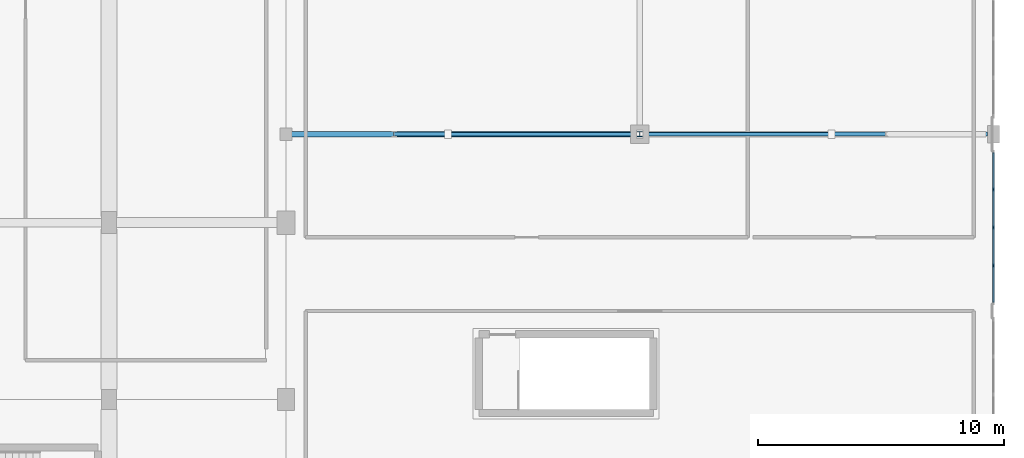
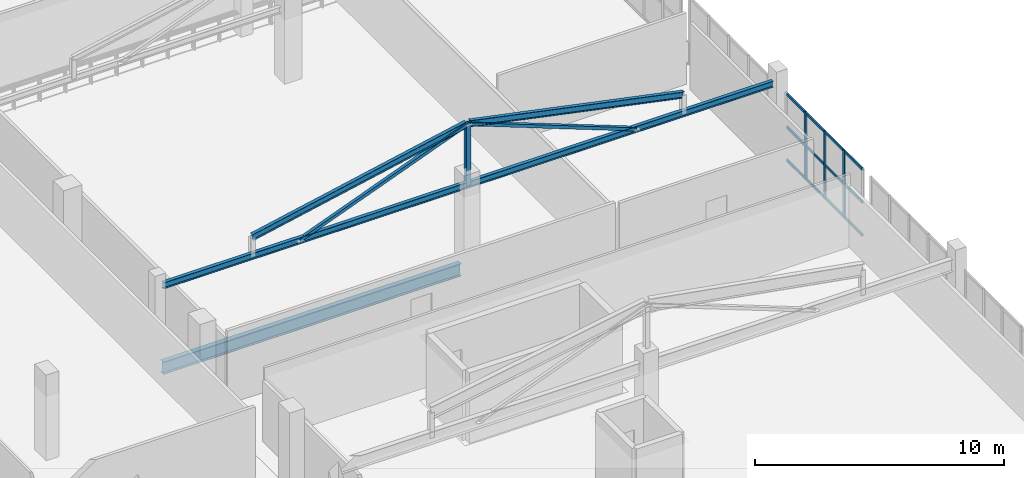
# One storey, part 35 of 92: 18 members, 4 beams, 1 element without a shape of its own.
"""IFC4 building model written with IfcOpenShell, lengths in metres."""

from ifc_helpers import new_model, si_unit, direction, frame, origin, origin_2d, place, context, subcontext, project, spatial, rectangle, hollow_rectangle, i_section, extrude, material, material_profile, profile_set, type_object, element, aggregate, save


model = new_model("IFC4")

# Units and contexts
model_context = context("Model", 3, precision=1e-05, world=origin(), true_north=direction((0.0, 1.0)))
body_context = subcontext(model_context, "Body", "Model", "MODEL_VIEW")
ifc_project = project(units=[si_unit("LENGTHUNIT", "METRE"), si_unit("AREAUNIT", "SQUARE_METRE"), si_unit("VOLUMEUNIT", "CUBIC_METRE"), si_unit("PLANEANGLEUNIT", "RADIAN"), si_unit("MASSUNIT", "GRAM", prefix="KILO")], contexts=[model_context])

# Site, building, storey
site_placement = place(None, origin())
site = spatial("IfcSite", under=ifc_project, at=site_placement, CompositionType="ELEMENT")
building_placement = place(site_placement, origin())
building = spatial("IfcBuilding", under=site, at=building_placement, Name="Solanera Park Tramway Depot", CompositionType="ELEMENT")
storey_placement = place(building_placement, frame((0.0, 0.0, 4.800048828125)))
storey = spatial("IfcBuildingStorey", under=building, at=storey_placement, Name="L01", CompositionType="ELEMENT", Elevation=4.800048828125)

# Curtain wall, members
ifc_material_1 = material(Name="Bronze-anodised thermally broken aluminium curtain wall", Category="aluminium")
curtain_wall_type = type_object("IfcCurtainWallType", Name="Parkfront Loggia Curtain Wall", PredefinedType="NOTDEFINED", material=ifc_material_1)
curtain_wall_placement = place(storey_placement, origin())
curtain_wall = element("IfcCurtainWall", 1, at=curtain_wall_placement, inside=storey, type_object=curtain_wall_type, Name="L01 Parkfront Loggia Curtain Wall #136", PredefinedType="NOTDEFINED")
ifc_material_2 = material(Name="Bronze-anodised structural aluminium 6063-T6", Category="aluminium")
ifc_material_profile_1 = material_profile(ifc_material_2, rectangle(XDim=0.06494140625, YDim=0.14990234375, at=origin_2d()), Name="Curtain Wall Mullion 65x150")
ifc_profile_set_1 = profile_set([ifc_material_profile_1], Name="Bronze-anodised structural aluminium 6063-T6")
member_type_1 = type_object("IfcMemberType", Name="Curtain Wall Mullion 65x150", PredefinedType="MULLION", material=ifc_profile_set_1)
member_1_placement = place(storey_placement, frame((216.0, 30.64990234375, 0.0), z_axis=(0.0, 0.0, 1.0), x_axis=(1.0, 0.0, 0.0)))
member_1 = element("IfcMember", 2, at=member_1_placement, type_object=member_type_1, Name="CW-L01-136 Mullion 2", PredefinedType="MULLION", context=body_context, shape_type="SweptSolid", body=[
    extrude(rectangle(XDim=0.06494140625, YDim=0.14990234375, at=origin_2d()), origin(), (0.0, 0.0, 1.0), 3.349853515625),
])
member_2_placement = place(storey_placement, frame((216.0, 32.199951171875, 0.0), z_axis=(0.0, 0.0, 1.0), x_axis=(1.0, 0.0, 0.0)))
member_2 = element("IfcMember", 3, at=member_2_placement, type_object=member_type_1, Name="CW-L01-136 Mullion 3", PredefinedType="MULLION", context=body_context, shape_type="SweptSolid", body=[
    extrude(rectangle(XDim=0.06494140625, YDim=0.14990234375, at=origin_2d()), origin(), (0.0, 0.0, 1.0), 3.349853515625),
])
member_3_placement = place(storey_placement, frame((216.0, 33.75, 0.0), z_axis=(0.0, 0.0, 1.0), x_axis=(1.0, 0.0, 0.0)))
member_3 = element("IfcMember", 4, at=member_3_placement, type_object=member_type_1, Name="CW-L01-136 Mullion 4", PredefinedType="MULLION", context=body_context, shape_type="SweptSolid", body=[
    extrude(rectangle(XDim=0.06494140625, YDim=0.14990234375, at=origin_2d()), origin(), (0.0, 0.0, 1.0), 3.349853515625),
])
ifc_material_3 = material(Name="Bronze-anodised structural aluminium 6063-T6", Category="aluminium")
ifc_material_profile_2 = material_profile(ifc_material_3, rectangle(XDim=0.06494140625, YDim=0.1201171875, at=origin_2d()), Name="Curtain Wall Transom 65x120")
ifc_profile_set_2 = profile_set([ifc_material_profile_2], Name="Bronze-anodised structural aluminium 6063-T6")
member_type_2 = type_object("IfcMemberType", Name="Curtain Wall Transom 65x120", PredefinedType="USERDEFINED", material=ifc_profile_set_2)
member_4_placement = place(storey_placement, frame((216.0, 29.160400390625, 0.06005859375), z_axis=(0.0, 1.0, 0.0), x_axis=(-1.0, 0.0, 0.0)))
member_4 = element("IfcMember", 5, at=member_4_placement, type_object=member_type_2, Name="CW-L01-136 Transom R1.C1", ObjectType="TRANSOM", PredefinedType="USERDEFINED", context=body_context, shape_type="SweptSolid", body=[
    extrude(rectangle(XDim=0.06494140625, YDim=0.1201171875, at=origin_2d()), origin(), (0.0, 0.0, 1.0), 1.461669921875),
])
member_5_placement = place(storey_placement, frame((216.0, 30.677978515625, 0.06005859375), z_axis=(0.0, 1.0, 0.0), x_axis=(-1.0, 0.0, 0.0)))
member_5 = element("IfcMember", 6, at=member_5_placement, type_object=member_type_2, Name="CW-L01-136 Transom R1.C2", ObjectType="TRANSOM", PredefinedType="USERDEFINED", context=body_context, shape_type="SweptSolid", body=[
    extrude(rectangle(XDim=0.06494140625, YDim=0.1201171875, at=origin_2d()), origin(), (0.0, 0.0, 1.0), 1.494140625),
])
member_6_placement = place(storey_placement, frame((216.0, 32.22802734375, 0.06005859375), z_axis=(0.0, 1.0, 0.0), x_axis=(-1.0, 0.0, 0.0)))
member_6 = element("IfcMember", 7, at=member_6_placement, type_object=member_type_2, Name="CW-L01-136 Transom R1.C3", ObjectType="TRANSOM", PredefinedType="USERDEFINED", context=body_context, shape_type="SweptSolid", body=[
    extrude(rectangle(XDim=0.06494140625, YDim=0.1201171875, at=origin_2d()), origin(), (0.0, 0.0, 1.0), 1.493896484375),
])
member_7_placement = place(storey_placement, frame((216.0, 33.778076171875, 0.06005859375), z_axis=(0.0, 1.0, 0.0), x_axis=(-1.0, 0.0, 0.0)))
member_7 = element("IfcMember", 8, at=member_7_placement, type_object=member_type_2, Name="CW-L01-136 Transom R1.C4", ObjectType="TRANSOM", PredefinedType="USERDEFINED", context=body_context, shape_type="SweptSolid", body=[
    extrude(rectangle(XDim=0.06494140625, YDim=0.1201171875, at=origin_2d()), origin(), (0.0, 0.0, 1.0), 1.46142578125),
])
member_8_placement = place(storey_placement, frame((216.0, 29.160400390625, 1.675048828125), z_axis=(0.0, 1.0, 0.0), x_axis=(-1.0, 0.0, 0.0)))
member_8 = element("IfcMember", 9, at=member_8_placement, type_object=member_type_2, Name="CW-L01-136 Transom R2.C1", ObjectType="TRANSOM", PredefinedType="USERDEFINED", context=body_context, shape_type="SweptSolid", body=[
    extrude(rectangle(XDim=0.06494140625, YDim=0.1201171875, at=origin_2d()), origin(), (0.0, 0.0, 1.0), 1.461669921875),
])
member_9_placement = place(storey_placement, frame((216.0, 30.677978515625, 1.675048828125), z_axis=(0.0, 1.0, 0.0), x_axis=(-1.0, 0.0, 0.0)))
member_9 = element("IfcMember", 10, at=member_9_placement, type_object=member_type_2, Name="CW-L01-136 Transom R2.C2", ObjectType="TRANSOM", PredefinedType="USERDEFINED", context=body_context, shape_type="SweptSolid", body=[
    extrude(rectangle(XDim=0.06494140625, YDim=0.1201171875, at=origin_2d()), origin(), (0.0, 0.0, 1.0), 1.494140625),
])
member_10_placement = place(storey_placement, frame((216.0, 32.22802734375, 1.675048828125), z_axis=(0.0, 1.0, 0.0), x_axis=(-1.0, 0.0, 0.0)))
member_10 = element("IfcMember", 11, at=member_10_placement, type_object=member_type_2, Name="CW-L01-136 Transom R2.C3", ObjectType="TRANSOM", PredefinedType="USERDEFINED", context=body_context, shape_type="SweptSolid", body=[
    extrude(rectangle(XDim=0.06494140625, YDim=0.1201171875, at=origin_2d()), origin(), (0.0, 0.0, 1.0), 1.493896484375),
])
member_11_placement = place(storey_placement, frame((216.0, 33.778076171875, 1.675048828125), z_axis=(0.0, 1.0, 0.0), x_axis=(-1.0, 0.0, 0.0)))
member_11 = element("IfcMember", 12, at=member_11_placement, type_object=member_type_2, Name="CW-L01-136 Transom R2.C4", ObjectType="TRANSOM", PredefinedType="USERDEFINED", context=body_context, shape_type="SweptSolid", body=[
    extrude(rectangle(XDim=0.06494140625, YDim=0.1201171875, at=origin_2d()), origin(), (0.0, 0.0, 1.0), 1.46142578125),
])
member_12_placement = place(storey_placement, frame((216.0, 29.160400390625, 3.2900390625), z_axis=(0.0, 1.0, 0.0), x_axis=(-1.0, 0.0, 0.0)))
member_12 = element("IfcMember", 13, at=member_12_placement, type_object=member_type_2, Name="CW-L01-136 Transom R3.C1", ObjectType="TRANSOM", PredefinedType="USERDEFINED", context=body_context, shape_type="SweptSolid", body=[
    extrude(rectangle(XDim=0.06494140625, YDim=0.1201171875, at=origin_2d()), origin(), (0.0, 0.0, 1.0), 1.461669921875),
])
member_13_placement = place(storey_placement, frame((216.0, 30.677978515625, 3.2900390625), z_axis=(0.0, 1.0, 0.0), x_axis=(-1.0, 0.0, 0.0)))
member_13 = element("IfcMember", 14, at=member_13_placement, type_object=member_type_2, Name="CW-L01-136 Transom R3.C2", ObjectType="TRANSOM", PredefinedType="USERDEFINED", context=body_context, shape_type="SweptSolid", body=[
    extrude(rectangle(XDim=0.06494140625, YDim=0.1201171875, at=origin_2d()), origin(), (0.0, 0.0, 1.0), 1.494140625),
])
member_14_placement = place(storey_placement, frame((216.0, 32.22802734375, 3.2900390625), z_axis=(0.0, 1.0, 0.0), x_axis=(-1.0, 0.0, 0.0)))
member_14 = element("IfcMember", 15, at=member_14_placement, type_object=member_type_2, Name="CW-L01-136 Transom R3.C3", ObjectType="TRANSOM", PredefinedType="USERDEFINED", context=body_context, shape_type="SweptSolid", body=[
    extrude(rectangle(XDim=0.06494140625, YDim=0.1201171875, at=origin_2d()), origin(), (0.0, 0.0, 1.0), 1.493896484375),
])
member_15_placement = place(storey_placement, frame((216.0, 33.778076171875, 3.2900390625), z_axis=(0.0, 1.0, 0.0), x_axis=(-1.0, 0.0, 0.0)))
member_15 = element("IfcMember", 16, at=member_15_placement, type_object=member_type_2, Name="CW-L01-136 Transom R3.C4", ObjectType="TRANSOM", PredefinedType="USERDEFINED", context=body_context, shape_type="SweptSolid", body=[
    extrude(rectangle(XDim=0.06494140625, YDim=0.1201171875, at=origin_2d()), origin(), (0.0, 0.0, 1.0), 1.46142578125),
])
aggregate(curtain_wall, [member_1, member_2, member_3, member_4, member_5, member_6, member_7, member_8, member_9, member_10, member_11, member_12, member_13, member_14, member_15])

# Member
ifc_material_4 = material(Name="Steel AS/NZS 3679.1 Grade 350", Category="steel")
ifc_material_profile_3 = material_profile(ifc_material_4, i_section(OverallWidth=0.205078125, OverallDepth=0.209716796875, WebThickness=0.00927734375, FlangeThickness=0.01416015625, at=origin_2d()), Name="200UC59.5")
ifc_profile_set_3 = profile_set([ifc_material_profile_3], Name="Steel AS/NZS 3679.1 Grade 350")
member_type_3 = type_object("IfcMemberType", Name="Roof Gantry Compression Strut 200UC59.5", PredefinedType="STRUT", material=ifc_profile_set_3)
member_16_placement = place(storey_placement, frame((201.60009765625, 36.0, 3.453125), z_axis=(0.0, 0.0, 1.0), x_axis=(1.0, 0.0, 0.0)))
element("IfcMember", 17, at=member_16_placement, inside=storey, type_object=member_type_3, Name="Hip ROOF TRUSS King Post #0181", PredefinedType="STRUT", context=body_context, shape_type="SweptSolid", body=[
    extrude(i_section(OverallWidth=0.205078125, OverallDepth=0.209716796875, WebThickness=0.00927734375, FlangeThickness=0.01416015625, at=origin_2d()), origin(), (0.0, 0.0, 1.0), 2.982421875),
])

# Beams
ifc_material_5 = material(Name="Steel AS/NZS 3679.1 Grade 350", Category="steel")
ifc_material_profile_4 = material_profile(ifc_material_5, i_section(OverallWidth=0.1650390625, OverallDepth=0.3037109375, WebThickness=0.006103515625, FlangeThickness=0.01025390625, at=origin_2d()), Name="310UB40.4")
ifc_profile_set_4 = profile_set([ifc_material_profile_4], Name="Steel AS/NZS 3679.1 Grade 350")
beam_type_1 = type_object("IfcBeamType", Name="Steel Beam 310UB40.4", PredefinedType="BEAM", material=ifc_profile_set_4)
beam_1_placement = place(storey_placement, frame((187.449951171875, 36.0, 3.453125), z_axis=(1.0, 0.0, 0.0), x_axis=(0.0, 1.0, 0.0)))
element("IfcBeam", 18, at=beam_1_placement, inside=storey, type_object=beam_type_1, Name="L01 Hip ROOF TRUSS Tie 310UB40.4 #1128", PredefinedType="BEAM", context=body_context, shape_type="SweptSolid", body=[
    extrude(i_section(OverallWidth=0.1650390625, OverallDepth=0.3037109375, WebThickness=0.006103515625, FlangeThickness=0.01025390625, at=origin_2d()), origin(), (0.0, 0.0, 1.0), 28.300048828125),
])
beam_2_placement = place(storey_placement, frame((191.60009765625, 36.0, 4.371826171875), z_axis=(0.97911984092, 0.0, 0.20328388307), x_axis=(0.0, 1.0, 0.0)))
element("IfcBeam", 19, at=beam_2_placement, inside=storey, type_object=beam_type_1, Name="L01 Hip ROOF TRUSS Rafter 310UB40.4 #1129", PredefinedType="BEAM", context=body_context, shape_type="SweptSolid", body=[
    extrude(i_section(OverallWidth=0.1650390625, OverallDepth=0.3037109375, WebThickness=0.006103515625, FlangeThickness=0.01025390625, at=origin_2d()), origin(), (0.0, 0.0, 1.0), 10.15185546875),
])
beam_3_placement = place(storey_placement, frame((201.659912109375, 36.0, 6.435546875), z_axis=(0.979120834683, 0.0, -0.203279096539), x_axis=(0.0, 1.0, 0.0)))
element("IfcBeam", 20, at=beam_3_placement, inside=storey, type_object=beam_type_1, Name="L01 Hip ROOF TRUSS Rafter 310UB40.4 #1130", PredefinedType="BEAM", context=body_context, shape_type="SweptSolid", body=[
    extrude(i_section(OverallWidth=0.1650390625, OverallDepth=0.3037109375, WebThickness=0.006103515625, FlangeThickness=0.01025390625, at=origin_2d()), origin(), (0.0, 0.0, 1.0), 10.152099609375),
])
ifc_material_6 = material(Name="Steel AS/NZS 3679.1 Grade 350", Category="steel")
ifc_material_profile_5 = material_profile(ifc_material_6, i_section(OverallWidth=0.22900390625, OverallDepth=0.611572265625, WebThickness=0.011962890625, FlangeThickness=0.01953125, at=origin_2d()), Name="610UB125")
ifc_profile_set_5 = profile_set([ifc_material_profile_5], Name="Steel AS/NZS 3679.1 Grade 350")
beam_type_2 = type_object("IfcBeamType", Name="Steel Beam 610UB125", PredefinedType="BEAM", material=ifc_profile_set_5)
beam_4_placement = place(storey_placement, frame((187.425048828125, 36.0, -0.559814453125), z_axis=(1.0, 0.0, 0.0), x_axis=(0.0, 1.0, 0.0)))
element("IfcBeam", 21, at=beam_4_placement, inside=storey, type_object=beam_type_2, Name="L01 Primary X-Girder 610UB125 #0025", PredefinedType="BEAM", context=body_context, shape_type="SweptSolid", body=[
    extrude(i_section(OverallWidth=0.22900390625, OverallDepth=0.611572265625, WebThickness=0.011962890625, FlangeThickness=0.01953125, at=origin_2d()), origin(), (0.0, 0.0, 1.0), 13.824951171875),
])

# Members
ifc_material_7 = material(Name="Steel AS/NZS 1163 Grade C350L0", Category="steel")
ifc_material_profile_6 = material_profile(ifc_material_7, hollow_rectangle(XDim=0.14990234375, YDim=0.14990234375, WallThickness=0.006103515625, at=origin_2d()), Name="150x150x6.0 SHS")
ifc_profile_set_6 = profile_set([ifc_material_profile_6], Name="Steel AS/NZS 1163 Grade C350L0")
member_type_4 = type_object("IfcMemberType", Name="Truss and Frame Brace 150x150x6.0 SHS", PredefinedType="BRACE", material=ifc_profile_set_6)
member_17_placement = place(storey_placement, frame((193.800048828125, 36.0, 3.453125), z_axis=(0.934049826954, 0.0, 0.357142717646), x_axis=(0.0, 1.0, 0.0)))
element("IfcMember", 22, at=member_17_placement, inside=storey, type_object=member_type_4, Name="Hip ROOF TRUSS Web #0493", PredefinedType="BRACE", context=body_context, shape_type="SweptSolid", body=[
    extrude(hollow_rectangle(XDim=0.14990234375, YDim=0.14990234375, WallThickness=0.006103515625, at=origin_2d()), origin(), (0.0, 0.0, 1.0), 8.350830078125),
])
member_18_placement = place(storey_placement, frame((209.39990234375, 36.0, 3.453125), z_axis=(-0.934046097767, 0.0, 0.357152470587), x_axis=(0.0, -1.0, 0.0)))
element("IfcMember", 23, at=member_18_placement, inside=storey, type_object=member_type_4, Name="Hip ROOF TRUSS Web #0494", PredefinedType="BRACE", context=body_context, shape_type="SweptSolid", body=[
    extrude(hollow_rectangle(XDim=0.14990234375, YDim=0.14990234375, WallThickness=0.006103515625, at=origin_2d()), origin(), (0.0, 0.0, 1.0), 8.3505859375),
])

save(model, "model.ifc")
